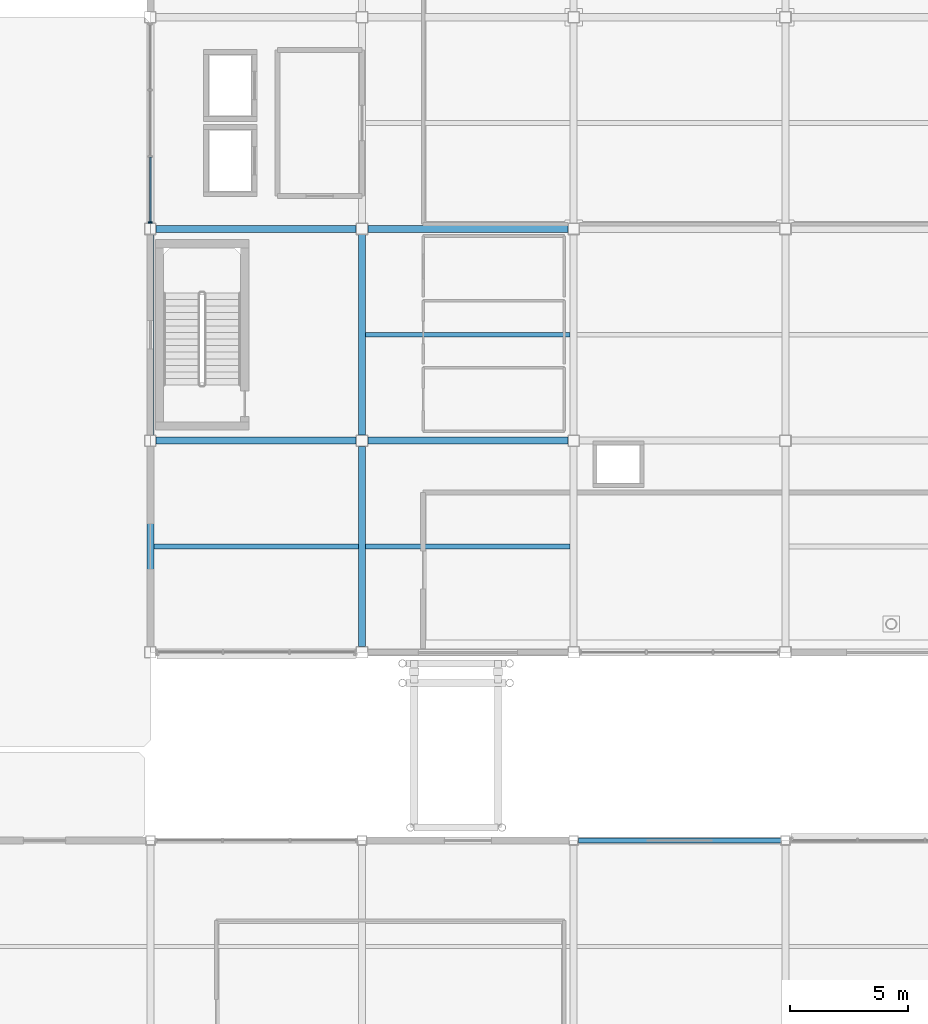
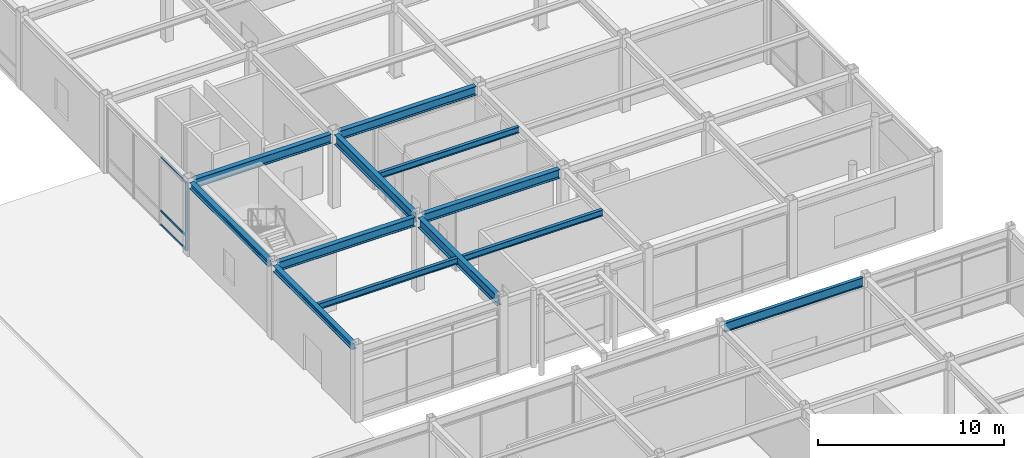
# One storey, part 58 of 123: 12 beams, 4 members, 1 element without a shape of its own.
"""IFC4 building model written with IfcOpenShell, lengths in metres."""

from ifc_helpers import new_model, si_unit, direction, frame, origin, origin_2d, place, context, subcontext, project, spatial, rectangle, i_section, extrude, material, material_profile, profile_set, type_object, element, aggregate, save


model = new_model("IFC4")

# Units and contexts
model_context = context("Model", 3, precision=1e-05, world=origin(), true_north=direction((0.0, 1.0)))
body_context = subcontext(model_context, "Body", "Model", "MODEL_VIEW")
ifc_project = project(units=[si_unit("LENGTHUNIT", "METRE"), si_unit("AREAUNIT", "SQUARE_METRE"), si_unit("VOLUMEUNIT", "CUBIC_METRE"), si_unit("PLANEANGLEUNIT", "RADIAN"), si_unit("MASSUNIT", "GRAM", prefix="KILO")], contexts=[model_context])

# Site, building, storey
site_placement = place(None, origin())
site = spatial("IfcSite", under=ifc_project, at=site_placement, CompositionType="ELEMENT")
building_placement = place(site_placement, origin())
building = spatial("IfcBuilding", under=site, at=building_placement, Name="Suzunagisa Mobility Hub", CompositionType="ELEMENT")
storey_placement = place(building_placement, origin())
storey = spatial("IfcBuildingStorey", under=building, at=storey_placement, Name="L00", CompositionType="ELEMENT", Elevation=0.0)

# Curtain wall, members
ifc_material_1 = material(Name="Thermally Broken Anodized Aluminum and Low-E Glazing", Category="aluminium")
curtain_wall_type = type_object("IfcCurtainWallType", Name="Unitised Curtain Wall CW-47 8500x4400", PredefinedType="USERDEFINED", material=ifc_material_1)
curtain_wall_placement = place(storey_placement, origin())
curtain_wall = element("IfcCurtainWall", 1, at=curtain_wall_placement, inside=storey, type_object=curtain_wall_type, Name="L00 Unitised Curtain Wall CW-182", ObjectType="UNITISED CURTAIN WALL", PredefinedType="USERDEFINED")
ifc_material_2 = material(Name="Anodized Aluminum 6063-T6", Category="aluminium")
ifc_material_profile_1 = material_profile(ifc_material_2, rectangle(XDim=0.06494140625, YDim=0.139892578125, at=origin_2d()), Name="TRAN-65x140")
ifc_profile_set_1 = profile_set([ifc_material_profile_1], Name="Anodized Aluminum 6063-T6")
member_type_1 = type_object("IfcMemberType", Name="Curtain Wall Framing CM-01 TRAN-65x140", PredefinedType="USERDEFINED", material=ifc_profile_set_1)
member_1_placement = place(storey_placement, frame((144.0, 65.052734375, 0.032470703125), z_axis=(0.0, -1.0, 0.0), x_axis=(1.0, 0.0, 0.0)))
member_1 = element("IfcMember", 2, at=member_1_placement, type_object=member_type_1, Name="Curtain Wall Transom 182-T3.1", ObjectType="TRANSOM", PredefinedType="USERDEFINED", context=body_context, shape_type="SweptSolid", body=[
    extrude(rectangle(XDim=0.06494140625, YDim=0.139892578125, at=origin_2d()), origin(), (0.0, 0.0, 1.0), 2.73974609375),
])
member_2_placement = place(storey_placement, frame((144.0, 65.052734375, 0.949951171875), z_axis=(0.0, -1.0, 0.0), x_axis=(1.0, 0.0, 0.0)))
member_2 = element("IfcMember", 3, at=member_2_placement, type_object=member_type_1, Name="Curtain Wall Transom 182-T3.2", ObjectType="TRANSOM", PredefinedType="USERDEFINED", context=body_context, shape_type="SweptSolid", body=[
    extrude(rectangle(XDim=0.06494140625, YDim=0.139892578125, at=origin_2d()), origin(), (0.0, 0.0, 1.0), 2.73974609375),
])
member_3_placement = place(storey_placement, frame((144.0, 65.052734375, 4.41748046875), z_axis=(0.0, -1.0, 0.0), x_axis=(1.0, 0.0, 0.0)))
member_3 = element("IfcMember", 4, at=member_3_placement, type_object=member_type_1, Name="Curtain Wall Transom 182-T3.3", ObjectType="TRANSOM", PredefinedType="USERDEFINED", context=body_context, shape_type="SweptSolid", body=[
    extrude(rectangle(XDim=0.06494140625, YDim=0.139892578125, at=origin_2d()), origin(), (0.0, 0.0, 1.0), 2.73974609375),
])
ifc_material_profile_2 = material_profile(ifc_material_2, rectangle(XDim=0.06494140625, YDim=0.179931640625, at=origin_2d()), Name="MULL-65x180")
ifc_profile_set_2 = profile_set([ifc_material_profile_2], Name="Anodized Aluminum 6063-T6")
member_type_2 = type_object("IfcMemberType", Name="Curtain Wall Framing CM-04 MULL-65x180", PredefinedType="MULLION", material=ifc_profile_set_2)
member_4_placement = place(storey_placement, frame((144.0, 62.282470703125, 0.0), z_axis=(0.0, 0.0, 1.0), x_axis=(0.0, -1.0, 0.0)))
member_4 = element("IfcMember", 5, at=member_4_placement, type_object=member_type_2, Name="Curtain Wall Mullion 182-M4", PredefinedType="MULLION", context=body_context, shape_type="SweptSolid", body=[
    extrude(rectangle(XDim=0.06494140625, YDim=0.179931640625, at=origin_2d()), origin(), (0.0, 0.0, 1.0), 4.449951171875),
])
aggregate(curtain_wall, [member_4, member_1, member_2, member_3])

# Beams
ifc_material_3 = material(Name="Steel SN490B", Category="steel")
ifc_material_profile_3 = material_profile(ifc_material_3, i_section(OverallWidth=0.199951171875, OverallDepth=0.60009765625, WebThickness=0.010986328125, FlangeThickness=0.01708984375, FilletRadius=0.012939453125, at=origin_2d()), Name="H-600x200x11x17")
ifc_profile_set_3 = profile_set([ifc_material_profile_3], Name="Steel SN490B")
beam_type_1 = type_object("IfcBeamType", Name="Steel Beam BM-07 H-600x200x11x17", PredefinedType="BEAM", material=ifc_profile_set_3)
beam_placement = place(storey_placement, frame((162.196044921875, 36.0, 4.5400390625), z_axis=(1.0, 0.0, 0.0), x_axis=(0.0, 1.0, 0.0)))
element("IfcBeam", 6, at=beam_placement, inside=storey, type_object=beam_type_1, Name="L00 Primary Girder GX-1414", PredefinedType="BEAM", context=body_context, shape_type="SweptSolid", body=[
    extrude(i_section(OverallWidth=0.199951171875, OverallDepth=0.60009765625, WebThickness=0.010986328125, FlangeThickness=0.01708984375, FilletRadius=0.012939453125, at=origin_2d()), origin(), (0.0, 0.0, 1.0), 8.60791015625),
])
ifc_material_profile_4 = material_profile(ifc_material_3, i_section(OverallWidth=0.300048828125, OverallDepth=0.64990234375, WebThickness=0.012939453125, FlangeThickness=0.02197265625, FilletRadius=0.01611328125, at=origin_2d()), Name="H-650x300x13x22")
ifc_profile_set_4 = profile_set([ifc_material_profile_4], Name="Steel SN490B")
beam_type_2 = type_object("IfcBeamType", Name="Steel Beam BM-10 H-650x300x13x22", PredefinedType="BEAM", material=ifc_profile_set_4)
for number, where, z_axis, x_axis, name in (
    (7, (153.0, 44.24609375, 4.514892578125), (0.0, 1.0, 0.0), (-1.0, 0.0, 0.0), "L00 Primary Girder GY-1744"),
    (8, (153.0, 53.24609375, 4.514892578125), (0.0, 1.0, 0.0), (-1.0, 0.0, 0.0), "L00 Primary Girder GY-1745"),
):
    element("IfcBeam", number, at=place(storey_placement, frame(where, z_axis=z_axis, x_axis=x_axis)), inside=storey, type_object=beam_type_2, Name=name, PredefinedType="BEAM", context=body_context, shape_type="SweptSolid", body=[
        extrude(i_section(OverallWidth=0.300048828125, OverallDepth=0.64990234375, WebThickness=0.012939453125, FlangeThickness=0.02197265625, FilletRadius=0.01611328125, at=origin_2d()), origin(), (0.0, 0.0, 1.0), 8.5078125),
    ])
ifc_material_profile_5 = material_profile(ifc_material_3, i_section(OverallWidth=0.300048828125, OverallDepth=0.389892578125, WebThickness=0.010009765625, FlangeThickness=0.01611328125, FilletRadius=0.012939453125, at=origin_2d()), Name="H-390x300x10x16")
ifc_profile_set_5 = profile_set([ifc_material_profile_5], Name="Steel SN490B")
beam_type_3 = type_object("IfcBeamType", Name="Steel Beam BM-13 H-390x300x10x16", PredefinedType="SPANDREL", material=ifc_profile_set_5)
for number, where, z_axis, x_axis, name in (
    (9, (144.0, 44.24609375, 4.64501953125), (0.0, 1.0, 0.0), (-1.0, 0.0, 0.0), "L00 Primary Girder GY-1737"),
    (10, (144.0, 53.24609375, 4.64501953125), (0.0, 1.0, 0.0), (-1.0, 0.0, 0.0), "L00 Primary Girder GY-1738"),
):
    element("IfcBeam", number, at=place(storey_placement, frame(where, z_axis=z_axis, x_axis=x_axis)), inside=storey, type_object=beam_type_3, Name=name, PredefinedType="SPANDREL", context=body_context, shape_type="SweptSolid", body=[
        extrude(i_section(OverallWidth=0.300048828125, OverallDepth=0.389892578125, WebThickness=0.010009765625, FlangeThickness=0.01611328125, FilletRadius=0.012939453125, at=origin_2d()), origin(), (0.0, 0.0, 1.0), 8.5078125),
    ])
ifc_material_4 = material(Name="Steel SN400B", Category="steel")
ifc_material_profile_6 = material_profile(ifc_material_4, i_section(OverallWidth=0.199951171875, OverallDepth=0.39990234375, WebThickness=0.008056640625, FlangeThickness=0.012939453125, FilletRadius=0.012939453125, at=origin_2d()), Name="H-400x200x8x13")
ifc_profile_set_6 = profile_set([ifc_material_profile_6], Name="Steel SN400B")
beam_type_4 = type_object("IfcBeamType", Name="Steel Beam BM-14 H-400x200x8x13", PredefinedType="JOIST", material=ifc_profile_set_6)
for number, where, z_axis, x_axis, name in (
    (11, (144.14990234375, 48.5, 4.639892578125), (1.0, 0.0, 0.0), (0.0, 1.0, 0.0), "L00 Composite Floor Joist J-1772"),
    (12, (153.14990234375, 48.5, 4.639892578125), (1.0, 0.0, 0.0), (0.0, 1.0, 0.0), "L00 Composite Floor Joist J-1776"),
    (13, (153.14990234375, 57.5, 4.639892578125), (1.0, 0.0, 0.0), (0.0, 1.0, 0.0), "L00 Composite Floor Joist J-1777"),
):
    element("IfcBeam", number, at=place(storey_placement, frame(where, z_axis=z_axis, x_axis=x_axis)), inside=storey, type_object=beam_type_4, Name=name, PredefinedType="JOIST", context=body_context, shape_type="SweptSolid", body=[
        extrude(i_section(OverallWidth=0.199951171875, OverallDepth=0.39990234375, WebThickness=0.008056640625, FlangeThickness=0.012939453125, FilletRadius=0.012939453125, at=origin_2d()), origin(), (0.0, 0.0, 1.0), 8.7001953125),
    ])
ifc_material_profile_7 = material_profile(ifc_material_3, i_section(OverallWidth=0.300048828125, OverallDepth=0.587890625, WebThickness=0.011962890625, FlangeThickness=0.02001953125, FilletRadius=0.012939453125, at=origin_2d()), Name="H-588x300x12x20")
ifc_profile_set_7 = profile_set([ifc_material_profile_7], Name="Steel SN490B")
beam_type_5 = type_object("IfcBeamType", Name="Steel Beam BM-16 H-588x300x12x20", PredefinedType="BEAM", material=ifc_profile_set_7)
for number, where, z_axis, x_axis, name in (
    (14, (144.24609375, 53.0, 4.5458984375), (1.0, 0.0, 0.0), (0.0, 1.0, 0.0), "L00 Primary Girder GX-1710"),
    (15, (153.24609375, 53.0, 4.5458984375), (1.0, 0.0, 0.0), (0.0, 1.0, 0.0), "L00 Primary Girder GX-1711"),
    (16, (144.24609375, 62.0, 4.5458984375), (1.0, 0.0, 0.0), (0.0, 1.0, 0.0), "L00 Primary Girder GX-1714"),
    (17, (153.24609375, 62.0, 4.5458984375), (1.0, 0.0, 0.0), (0.0, 1.0, 0.0), "L00 Primary Girder GX-1715"),
):
    element("IfcBeam", number, at=place(storey_placement, frame(where, z_axis=z_axis, x_axis=x_axis)), inside=storey, type_object=beam_type_5, Name=name, PredefinedType="BEAM", context=body_context, shape_type="SweptSolid", body=[
        extrude(i_section(OverallWidth=0.300048828125, OverallDepth=0.587890625, WebThickness=0.011962890625, FlangeThickness=0.02001953125, FilletRadius=0.012939453125, at=origin_2d()), origin(), (0.0, 0.0, 1.0), 8.5078125),
    ])

save(model, "model.ifc")
